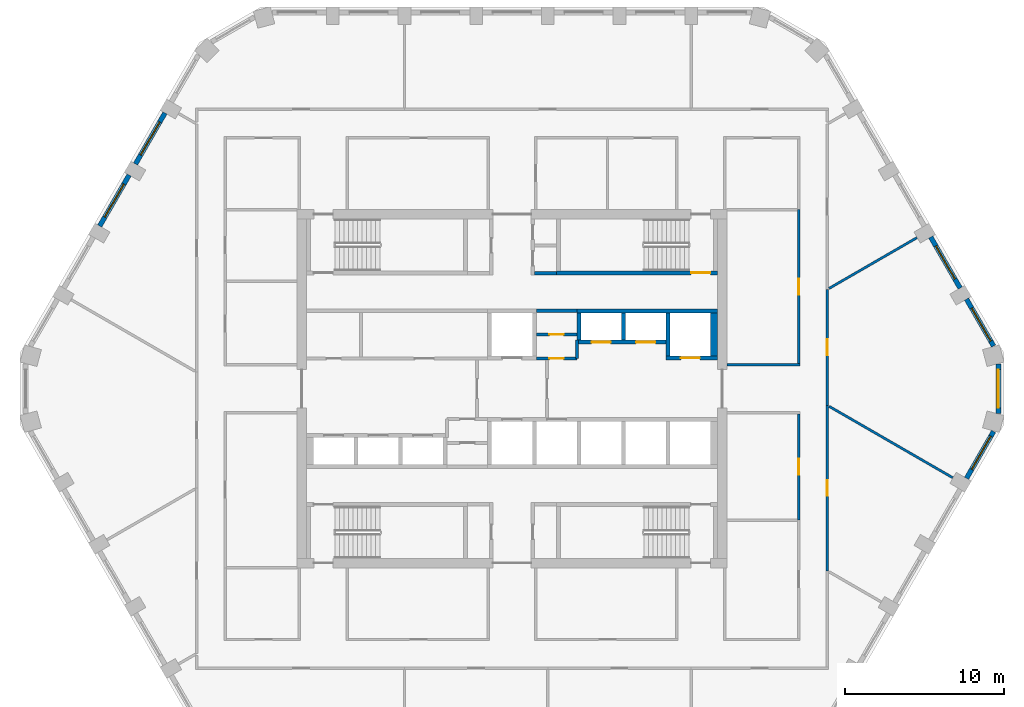
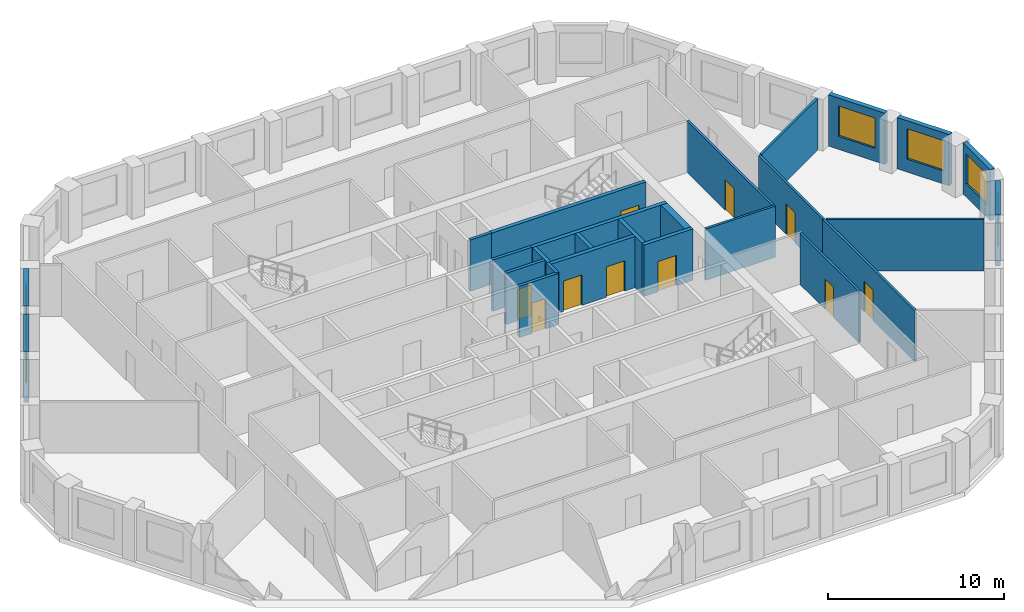
# One storey, part 5 of 9: 26 walls, 10 doors, 6 windows, 16 openings.
"""IFC4 building model written with IfcOpenShell, lengths in metres."""

from ifc_helpers import new_model, si_unit, direction, frame, frame_2d, origin, place, context, subcontext, project, spatial, polyline, rectangle, outline, extrude, material, layer, layer_set, type_object, element, fill, save


model = new_model("IFC4")

# Units and contexts
model_context = context("Model", 3, precision=1e-05, world=origin(), true_north=direction((0.0, 1.0)))
body_context = subcontext(model_context, "Body", "Model", "MODEL_VIEW")
ifc_project = project(units=[si_unit("LENGTHUNIT", "METRE"), si_unit("AREAUNIT", "SQUARE_METRE"), si_unit("VOLUMEUNIT", "CUBIC_METRE"), si_unit("PLANEANGLEUNIT", "RADIAN"), si_unit("MASSUNIT", "GRAM", prefix="KILO")], contexts=[model_context])

# Site, building, storey
site_placement = place(None, origin())
site = spatial("IfcSite", under=ifc_project, at=site_placement, CompositionType="ELEMENT")
building_placement = place(site_placement, origin())
building = spatial("IfcBuilding", under=site, at=building_placement, Name="Dhurran Vertical Campus", CompositionType="ELEMENT")
storey_placement = place(building_placement, frame((0.0, 0.0, 199.5)))
storey = spatial("IfcBuildingStorey", under=building, at=storey_placement, Name="L49", CompositionType="ELEMENT", Elevation=199.5)

# Wall, opening, window
ifc_material_1 = material(Name="Precast concrete C50/60", Category="concrete")
ifc_layer_1 = layer(ifc_material_1, 0.300048828125)
ifc_layer_set_1 = layer_set([ifc_layer_1], Name="Precast concrete C50/60")
wall_type_1 = type_object("IfcWallType", Name="Precast spandrel wall 300", PredefinedType="SOLIDWALL", material=ifc_layer_set_1)
wall_1_placement = place(storey_placement, frame((28.544189453125, -5.625244140625, 0.0), z_axis=(0.0, 0.0, 1.0), x_axis=(0.500012868213, 0.866017974191, 0.0)))
wall_1 = element("IfcWall", 1, at=wall_1_placement, inside=storey, type_object=wall_type_1, Name="EW1 L49.12", PredefinedType="SOLIDWALL", context=body_context, shape_type="SweptSolid", body=[
    extrude(rectangle(XDim=3.39599609375, YDim=0.300048828125, at=frame_2d((1.697998046875, 0.0))), origin(), (0.0, 0.0, 1.0), 3.550048828125),
])
opening_1_placement = place(wall_1_placement, frame((0.6494140625, 0.0, 0.89990234375)))
opening_1 = element("IfcOpeningElement", 2, at=opening_1_placement, cuts=wall_1, Name="Opening WT1", PredefinedType="OPENING", context=body_context, shape_type="SweptSolid", body=[
    extrude(rectangle(XDim=2.39990234375, YDim=2.10009765625, at=frame_2d((1.199951171875, 1.050048828125))), frame((0.0, 0.159912109375, 0.0), z_axis=(0.0, -1.0, 0.0), x_axis=(1.0, 0.0, 0.0)), (0.0, 0.0, 1.0), 0.320068359375),
])
ifc_material_2 = material(Name="Aluminium frame with solar-control glass", Category="aluminium")
window_type = type_object("IfcWindowType", Name="Punched window 2400 x 2100", PartitioningType="SINGLE_PANEL", PredefinedType="WINDOW", material=ifc_material_2)
window_1_placement = place(opening_1_placement, origin())
window_1 = element("IfcWindow", 3, at=window_1_placement, inside=storey, type_object=window_type, Name="WT1 L49.12", OverallHeight=2.10009765625, OverallWidth=2.39990234375, PartitioningType="SINGLE_PANEL", PredefinedType="WINDOW", context=body_context, shape_type="SweptSolid", body=[
    extrude(rectangle(XDim=2.39990234375, YDim=2.10009765625, at=frame_2d((1.199951171875, 1.050048828125))), frame((0.0, 0.030029296875, 0.0), z_axis=(0.0, -1.0, 0.0), x_axis=(1.0, 0.0, 0.0)), (0.0, 0.0, 1.0), 0.06005859375),
])
fill(opening_1, window_1)

wall_2_placement = place(storey_placement, frame((30.547119140625, -1.54638671875, 0.0), z_axis=(0.0, 0.0, 1.0), x_axis=(0.0, 1.0, 0.0)))
wall_2 = element("IfcWall", 4, at=wall_2_placement, inside=storey, type_object=wall_type_1, Name="EW1 L49.13", PredefinedType="SOLIDWALL", context=body_context, shape_type="SweptSolid", body=[
    extrude(rectangle(XDim=3.0927734375, YDim=0.300048828125, at=frame_2d((1.54638671875, 0.0))), origin(), (0.0, 0.0, 1.0), 3.550048828125),
])
opening_2_placement = place(wall_2_placement, frame((0.34619140625, 0.0, 0.89990234375)))
opening_2 = element("IfcOpeningElement", 5, at=opening_2_placement, cuts=wall_2, Name="Opening WT1", PredefinedType="OPENING", context=body_context, shape_type="SweptSolid", body=[
    extrude(rectangle(XDim=2.39990234375, YDim=2.10009765625, at=frame_2d((1.199951171875, 1.050048828125))), frame((0.0, 0.159912109375, 0.0), z_axis=(0.0, -1.0, 0.0), x_axis=(1.0, 0.0, 0.0)), (0.0, 0.0, 1.0), 0.320068359375),
])
window_2_placement = place(opening_2_placement, origin())
window_2 = element("IfcWindow", 6, at=window_2_placement, inside=storey, type_object=window_type, Name="WT1 L49.13", OverallHeight=2.10009765625, OverallWidth=2.39990234375, PartitioningType="SINGLE_PANEL", PredefinedType="WINDOW", context=body_context, shape_type="SweptSolid", body=[
    extrude(rectangle(XDim=2.39990234375, YDim=2.10009765625, at=frame_2d((1.199951171875, 1.050048828125))), frame((0.0, 0.030029296875, 0.0), z_axis=(0.0, -1.0, 0.0), x_axis=(1.0, 0.0, 0.0)), (0.0, 0.0, 1.0), 0.06005859375),
])
fill(opening_2, window_2)

wall_3_placement = place(storey_placement, frame((30.2421875, 2.684326171875, 0.0), z_axis=(0.0, 0.0, 1.0), x_axis=(-0.500012868213, 0.866017974191, 0.0)))
wall_3 = element("IfcWall", 7, at=wall_3_placement, inside=storey, type_object=wall_type_1, Name="EW1 L49.14", PredefinedType="SOLIDWALL", context=body_context, shape_type="SweptSolid", body=[
    extrude(rectangle(XDim=3.39599609375, YDim=0.300048828125, at=frame_2d((1.697998046875, 0.0))), origin(), (0.0, 0.0, 1.0), 3.550048828125),
])
opening_3_placement = place(wall_3_placement, frame((0.346435546875, 0.0, 0.89990234375)))
opening_3 = element("IfcOpeningElement", 8, at=opening_3_placement, cuts=wall_3, Name="Opening WT1", PredefinedType="OPENING", context=body_context, shape_type="SweptSolid", body=[
    extrude(rectangle(XDim=2.39990234375, YDim=2.10009765625, at=frame_2d((1.199951171875, 1.050048828125))), frame((0.0, 0.159912109375, 0.0), z_axis=(0.0, -1.0, 0.0), x_axis=(1.0, 0.0, 0.0)), (0.0, 0.0, 1.0), 0.320068359375),
])
window_3_placement = place(opening_3_placement, origin())
window_3 = element("IfcWindow", 9, at=window_3_placement, inside=storey, type_object=window_type, Name="WT1 L49.14", OverallHeight=2.10009765625, OverallWidth=2.39990234375, PartitioningType="SINGLE_PANEL", PredefinedType="WINDOW", context=body_context, shape_type="SweptSolid", body=[
    extrude(rectangle(XDim=2.39990234375, YDim=2.10009765625, at=frame_2d((1.199951171875, 1.050048828125))), frame((0.0, 0.030029296875, 0.0), z_axis=(0.0, -1.0, 0.0), x_axis=(1.0, 0.0, 0.0)), (0.0, 0.0, 1.0), 0.06005859375),
])
fill(opening_3, window_3)

wall_4_placement = place(storey_placement, frame((28.143798828125, 6.319091796875, 0.0), z_axis=(0.0, 0.0, 1.0), x_axis=(-0.500029062817, 0.866008623709, 0.0)))
wall_4 = element("IfcWall", 10, at=wall_4_placement, inside=storey, type_object=wall_type_1, Name="EW1 L49.15", PredefinedType="SOLIDWALL", context=body_context, shape_type="SweptSolid", body=[
    extrude(rectangle(XDim=3.698974609375, YDim=0.300048828125, at=frame_2d((1.849609375, 0.0))), origin(), (0.0, 0.0, 1.0), 3.550048828125),
])
opening_4_placement = place(wall_4_placement, frame((0.6494140625, 0.0, 0.89990234375)))
opening_4 = element("IfcOpeningElement", 11, at=opening_4_placement, cuts=wall_4, Name="Opening WT1", PredefinedType="OPENING", context=body_context, shape_type="SweptSolid", body=[
    extrude(rectangle(XDim=2.39990234375, YDim=2.10009765625, at=frame_2d((1.199951171875, 1.050048828125))), frame((0.0, 0.159912109375, 0.0), z_axis=(0.0, -1.0, 0.0), x_axis=(1.0, 0.0, 0.0)), (0.0, 0.0, 1.0), 0.320068359375),
])
window_4_placement = place(opening_4_placement, origin())
window_4 = element("IfcWindow", 12, at=window_4_placement, inside=storey, type_object=window_type, Name="WT1 L49.15", OverallHeight=2.10009765625, OverallWidth=2.39990234375, PartitioningType="SINGLE_PANEL", PredefinedType="WINDOW", context=body_context, shape_type="SweptSolid", body=[
    extrude(rectangle(XDim=2.39990234375, YDim=2.10009765625, at=frame_2d((1.199951171875, 1.050048828125))), frame((0.0, 0.030029296875, 0.0), z_axis=(0.0, -1.0, 0.0), x_axis=(1.0, 0.0, 0.0)), (0.0, 0.0, 1.0), 0.06005859375),
])
fill(opening_4, window_4)

wall_5_placement = place(storey_placement, frame((-21.794189453125, 17.316650390625, 0.0), z_axis=(0.0, 0.0, 1.0), x_axis=(-0.500029062817, -0.866008623709, 0.0)))
wall_5 = element("IfcWall", 13, at=wall_5_placement, inside=storey, type_object=wall_type_1, Name="EW1 L49.29", PredefinedType="SOLIDWALL", context=body_context, shape_type="SweptSolid", body=[
    extrude(rectangle(XDim=3.698974609375, YDim=0.300048828125, at=frame_2d((1.849609375, 0.0))), origin(), (0.0, 0.0, 1.0), 3.550048828125),
])
opening_5_placement = place(wall_5_placement, frame((0.6494140625, 0.0, 0.89990234375)))
opening_5 = element("IfcOpeningElement", 14, at=opening_5_placement, cuts=wall_5, Name="Opening WT1", PredefinedType="OPENING", context=body_context, shape_type="SweptSolid", body=[
    extrude(rectangle(XDim=2.39990234375, YDim=2.10009765625, at=frame_2d((1.199951171875, 1.050048828125))), frame((0.0, 0.159912109375, 0.0), z_axis=(0.0, -1.0, 0.0), x_axis=(1.0, 0.0, 0.0)), (0.0, 0.0, 1.0), 0.320068359375),
])
window_5_placement = place(opening_5_placement, origin())
window_5 = element("IfcWindow", 15, at=window_5_placement, inside=storey, type_object=window_type, Name="WT1 L49.29", OverallHeight=2.10009765625, OverallWidth=2.39990234375, PartitioningType="SINGLE_PANEL", PredefinedType="WINDOW", context=body_context, shape_type="SweptSolid", body=[
    extrude(rectangle(XDim=2.39990234375, YDim=2.10009765625, at=frame_2d((1.199951171875, 1.050048828125))), frame((0.0, 0.030029296875, 0.0), z_axis=(0.0, -1.0, 0.0), x_axis=(1.0, 0.0, 0.0)), (0.0, 0.0, 1.0), 0.06005859375),
])
fill(opening_5, window_5)

wall_6_placement = place(storey_placement, frame((-24.044189453125, 13.41943359375, 0.0), z_axis=(0.0, 0.0, 1.0), x_axis=(-0.500029062817, -0.866008623709, 0.0)))
wall_6 = element("IfcWall", 16, at=wall_6_placement, inside=storey, type_object=wall_type_1, Name="EW1 L49.30", PredefinedType="SOLIDWALL", context=body_context, shape_type="SweptSolid", body=[
    extrude(rectangle(XDim=3.698974609375, YDim=0.300048828125, at=frame_2d((1.849609375, 0.0))), origin(), (0.0, 0.0, 1.0), 3.550048828125),
])
opening_6_placement = place(wall_6_placement, frame((0.6494140625, 0.0, 0.89990234375)))
opening_6 = element("IfcOpeningElement", 17, at=opening_6_placement, cuts=wall_6, Name="Opening WT1", PredefinedType="OPENING", context=body_context, shape_type="SweptSolid", body=[
    extrude(rectangle(XDim=2.39990234375, YDim=2.10009765625, at=frame_2d((1.199951171875, 1.050048828125))), frame((0.0, 0.159912109375, 0.0), z_axis=(0.0, -1.0, 0.0), x_axis=(1.0, 0.0, 0.0)), (0.0, 0.0, 1.0), 0.320068359375),
])
window_6_placement = place(opening_6_placement, origin())
window_6 = element("IfcWindow", 18, at=window_6_placement, inside=storey, type_object=window_type, Name="WT1 L49.30", OverallHeight=2.10009765625, OverallWidth=2.39990234375, PartitioningType="SINGLE_PANEL", PredefinedType="WINDOW", context=body_context, shape_type="SweptSolid", body=[
    extrude(rectangle(XDim=2.39990234375, YDim=2.10009765625, at=frame_2d((1.199951171875, 1.050048828125))), frame((0.0, 0.030029296875, 0.0), z_axis=(0.0, -1.0, 0.0), x_axis=(1.0, 0.0, 0.0)), (0.0, 0.0, 1.0), 0.06005859375),
])
fill(opening_6, window_6)

# Wall
ifc_material_3 = material(Name="Fire-rated masonry blockwork", Category="masonry")
ifc_layer_2 = layer(ifc_material_3, 0.199951171875)
ifc_layer_set_2 = layer_set([ifc_layer_2], Name="Fire-rated masonry blockwork")
wall_type_2 = type_object("IfcWallType", Name="co-FIRE-PARTITION-200", PredefinedType="PARTITIONING", material=ifc_layer_set_2)
wall_7_placement = place(storey_placement, frame((1.39990234375, 7.25, 0.0), z_axis=(0.0, 0.0, 1.0), x_axis=(1.0, 0.0, 0.0)))
element("IfcWall", 19, at=wall_7_placement, inside=storey, type_object=wall_type_2, Name="Core partition sl-NE-S L49", PredefinedType="PARTITIONING", context=body_context, shape_type="SweptSolid", body=[
    extrude(rectangle(XDim=1.400146484375, YDim=0.199951171875, at=frame_2d((0.7001953125, 0.0))), origin(), (0.0, 0.0, 1.0), 3.550048828125),
])

# Wall, opening, door
wall_8_placement = place(storey_placement, frame((1.52490234375, 3.39990234375, 0.0), z_axis=(0.0, 0.0, 1.0), x_axis=(1.0, 0.0, 0.0)))
wall_8 = element("IfcWall", 20, at=wall_8_placement, inside=storey, type_object=wall_type_2, Name="Core partition fr-N1-c L49", PredefinedType="PARTITIONING", context=body_context, shape_type="SweptSolid", body=[
    extrude(rectangle(XDim=2.550048828125, YDim=0.199951171875, at=frame_2d((1.27490234375, 0.0))), origin(), (0.0, 0.0, 1.0), 3.550048828125),
])
opening_7_placement = place(wall_8_placement, frame((0.824951171875, 0.0, 0.0)))
opening_7 = element("IfcOpeningElement", 21, at=opening_7_placement, cuts=wall_8, Name="Opening T14-C8", PredefinedType="OPENING", context=body_context, shape_type="SweptSolid", body=[
    extrude(rectangle(XDim=0.89990234375, YDim=2.10009765625, at=frame_2d((0.449951171875, 1.050048828125))), frame((0.0, 0.10986328125, 0.0), z_axis=(0.0, -1.0, 0.0), x_axis=(1.0, 0.0, 0.0)), (0.0, 0.0, 1.0), 0.219970703125),
])
ifc_material_4 = material(Name="Fire-rated timber door set", Category="wood")
door_type_1 = type_object("IfcDoorType", Name="co-D-ROOM 900x2100", OperationType="SINGLE_SWING_LEFT", PredefinedType="DOOR", material=ifc_material_4)
door_1_placement = place(opening_7_placement, origin())
door_1 = element("IfcDoor", 22, at=door_1_placement, inside=storey, type_object=door_type_1, Name="Communications room door L49", OperationType="SINGLE_SWING_LEFT", OverallHeight=2.10009765625, OverallWidth=0.89990234375, PredefinedType="DOOR", context=body_context, shape_type="SweptSolid", body=[
    extrude(rectangle(XDim=0.89990234375, YDim=2.10009765625, at=frame_2d((0.449951171875, 1.050048828125))), frame((0.0, 0.02490234375, 0.0), z_axis=(0.0, -1.0, 0.0), x_axis=(1.0, 0.0, 0.0)), (0.0, 0.0, 1.0), 0.050048828125),
])
fill(opening_7, door_1)

wall_9_placement = place(storey_placement, frame((1.52490234375, 1.89990234375, 0.0), z_axis=(0.0, 0.0, 1.0), x_axis=(1.0, 0.0, 0.0)))
wall_9 = element("IfcWall", 23, at=wall_9_placement, inside=storey, type_object=wall_type_2, Name="Core partition fr-N1-f L49", PredefinedType="PARTITIONING", context=body_context, shape_type="SweptSolid", body=[
    extrude(rectangle(XDim=2.550048828125, YDim=0.199951171875, at=frame_2d((1.27490234375, 0.0))), origin(), (0.0, 0.0, 1.0), 3.550048828125),
])
opening_8_placement = place(wall_9_placement, frame((0.824951171875, 0.0, 0.0)))
opening_8 = element("IfcOpeningElement", 24, at=opening_8_placement, cuts=wall_9, Name="Opening T14-C9", PredefinedType="OPENING", context=body_context, shape_type="SweptSolid", body=[
    extrude(rectangle(XDim=0.89990234375, YDim=2.10009765625, at=frame_2d((0.449951171875, 1.050048828125))), frame((0.0, 0.10986328125, 0.0), z_axis=(0.0, -1.0, 0.0), x_axis=(1.0, 0.0, 0.0)), (0.0, 0.0, 1.0), 0.219970703125),
])
door_2_placement = place(opening_8_placement, origin())
door_2 = element("IfcDoor", 25, at=door_2_placement, inside=storey, type_object=door_type_1, Name="Server room door L49", OperationType="SINGLE_SWING_LEFT", OverallHeight=2.10009765625, OverallWidth=0.89990234375, PredefinedType="DOOR", context=body_context, shape_type="SweptSolid", body=[
    extrude(rectangle(XDim=0.89990234375, YDim=2.10009765625, at=frame_2d((0.449951171875, 1.050048828125))), frame((0.0, 0.02490234375, 0.0), z_axis=(0.0, -1.0, 0.0), x_axis=(1.0, 0.0, 0.0)), (0.0, 0.0, 1.0), 0.050048828125),
])
fill(opening_8, door_2)

# Walls
wall_10_placement = place(storey_placement, frame((1.52490234375, 4.89990234375, 0.0), z_axis=(0.0, 0.0, 1.0), x_axis=(1.0, 0.0, 0.0)))
element("IfcWall", 26, at=wall_10_placement, inside=storey, type_object=wall_type_2, Name="Core partition fr-N1-b L49", PredefinedType="PARTITIONING", context=body_context, shape_type="SweptSolid", body=[
    extrude(rectangle(XDim=2.550048828125, YDim=0.199951171875, at=frame_2d((1.27490234375, 0.0))), origin(), (0.0, 0.0, 1.0), 3.550048828125),
])
wall_11_placement = place(storey_placement, frame((4.074951171875, 1.89990234375, 0.0), z_axis=(0.0, 0.0, 1.0), x_axis=(0.0, 1.0, 0.0)))
element("IfcWall", 27, at=wall_11_placement, inside=storey, type_object=wall_type_2, Name="Core partition fr-N1-n1 L49", PredefinedType="PARTITIONING", context=body_context, shape_type="SweptSolid", body=[
    extrude(rectangle(XDim=1.150146484375, YDim=0.199951171875, at=frame_2d((0.5751953125, 0.0))), origin(), (0.0, 0.0, 1.0), 3.550048828125),
])

# Wall, openings, doors
ifc_material_5 = material(Name="Concrete C50/60", Category="concrete")
ifc_layer_3 = layer(ifc_material_5, 0.25)
ifc_layer_set_3 = layer_set([ifc_layer_3], Name="Concrete C50/60")
wall_type_3 = type_object("IfcWallType", Name="co-SHAFT-FRONT-250", PredefinedType="SHEAR", material=ifc_layer_set_3)
wall_12_placement = place(storey_placement, frame((4.074951171875, 2.925048828125, 0.0), z_axis=(0.0, 0.0, 1.0), x_axis=(1.0, 0.0, 0.0)))
wall_12 = element("IfcWall", 28, at=wall_12_placement, inside=storey, type_object=wall_type_3, Name="Lift landing wall N L49", PredefinedType="SHEAR", context=body_context, shape_type="SweptSolid", body=[
    extrude(rectangle(XDim=5.85009765625, YDim=0.25, at=frame_2d((2.925048828125, 0.0))), origin(), (0.0, 0.0, 1.0), 3.550048828125),
])
opening_9_placement = place(wall_12_placement, frame((0.925048828125, 0.0, 0.0)))
opening_9 = element("IfcOpeningElement", 29, at=opening_9_placement, cuts=wall_12, Name="Opening LD", PredefinedType="OPENING", context=body_context, shape_type="SweptSolid", body=[
    extrude(rectangle(XDim=1.199951171875, YDim=2.10009765625, at=frame_2d((0.60009765625, 1.050048828125))), frame((0.0, 0.135009765625, 0.0), z_axis=(0.0, -1.0, 0.0), x_axis=(1.0, 0.0, 0.0)), (0.0, 0.0, 1.0), 0.27001953125),
])
opening_10_placement = place(wall_12_placement, frame((3.72509765625, 0.0, 0.0)))
opening_10 = element("IfcOpeningElement", 30, at=opening_10_placement, cuts=wall_12, Name="Opening LD", PredefinedType="OPENING", context=body_context, shape_type="SweptSolid", body=[
    extrude(rectangle(XDim=1.199951171875, YDim=2.10009765625, at=frame_2d((0.60009765625, 1.050048828125))), frame((0.0, 0.135009765625, 0.0), z_axis=(0.0, -1.0, 0.0), x_axis=(1.0, 0.0, 0.0)), (0.0, 0.0, 1.0), 0.27001953125),
])
ifc_material_6 = material(Name="Stainless steel landing door", Category="steel")
door_type_2 = type_object("IfcDoorType", Name="co-D-LANDING 1200x2100", OperationType="DOUBLE_DOOR_SLIDING", PredefinedType="DOOR", material=ifc_material_6)
door_3_placement = place(opening_9_placement, origin())
door_3 = element("IfcDoor", 31, at=door_3_placement, inside=storey, type_object=door_type_2, Name="Landing door MR1 L49", OperationType="DOUBLE_DOOR_SLIDING", OverallHeight=2.10009765625, OverallWidth=1.199951171875, PredefinedType="DOOR", context=body_context, shape_type="SweptSolid", body=[
    extrude(rectangle(XDim=1.199951171875, YDim=2.10009765625, at=frame_2d((0.60009765625, 1.050048828125))), frame((0.0, 0.02490234375, 0.0), z_axis=(0.0, -1.0, 0.0), x_axis=(1.0, 0.0, 0.0)), (0.0, 0.0, 1.0), 0.050048828125),
])
fill(opening_9, door_3)
door_4_placement = place(opening_10_placement, origin())
door_4 = element("IfcDoor", 32, at=door_4_placement, inside=storey, type_object=door_type_2, Name="Landing door MR2 L49", OperationType="DOUBLE_DOOR_SLIDING", OverallHeight=2.10009765625, OverallWidth=1.199951171875, PredefinedType="DOOR", context=body_context, shape_type="SweptSolid", body=[
    extrude(rectangle(XDim=1.199951171875, YDim=2.10009765625, at=frame_2d((0.60009765625, 1.050048828125))), frame((0.0, 0.02490234375, 0.0), z_axis=(0.0, -1.0, 0.0), x_axis=(1.0, 0.0, 0.0)), (0.0, 0.0, 1.0), 0.050048828125),
])
fill(opening_10, door_4)

# Wall, opening, door
wall_13_placement = place(storey_placement, frame((9.675048828125, 1.925048828125, 0.0), z_axis=(0.0, 0.0, 1.0), x_axis=(1.0, 0.0, 0.0)))
wall_13 = element("IfcWall", 33, at=wall_13_placement, inside=storey, type_object=wall_type_3, Name="Lift landing wall N L49", PredefinedType="SHEAR", context=body_context, shape_type="SweptSolid", body=[
    extrude(rectangle(XDim=3.224853515625, YDim=0.25, at=frame_2d((1.6123046875, 0.0))), origin(), (0.0, 0.0, 1.0), 3.550048828125),
])
opening_11_placement = place(wall_13_placement, frame((0.925048828125, 0.0, 0.0)))
opening_11 = element("IfcOpeningElement", 34, at=opening_11_placement, cuts=wall_13, Name="Opening LD", PredefinedType="OPENING", context=body_context, shape_type="SweptSolid", body=[
    extrude(rectangle(XDim=1.199951171875, YDim=2.10009765625, at=frame_2d((0.60009765625, 1.050048828125))), frame((0.0, 0.135009765625, 0.0), z_axis=(0.0, -1.0, 0.0), x_axis=(1.0, 0.0, 0.0)), (0.0, 0.0, 1.0), 0.27001953125),
])
door_5_placement = place(opening_11_placement, origin())
door_5 = element("IfcDoor", 35, at=door_5_placement, inside=storey, type_object=door_type_2, Name="Landing door SV2 L49", OperationType="DOUBLE_DOOR_SLIDING", OverallHeight=2.10009765625, OverallWidth=1.199951171875, PredefinedType="DOOR", context=body_context, shape_type="SweptSolid", body=[
    extrude(rectangle(XDim=1.199951171875, YDim=2.10009765625, at=frame_2d((0.60009765625, 1.050048828125))), frame((0.0, 0.02490234375, 0.0), z_axis=(0.0, -1.0, 0.0), x_axis=(1.0, 0.0, 0.0)), (0.0, 0.0, 1.0), 0.050048828125),
])
fill(opening_11, door_5)

# Walls
ifc_material_7 = material(Name="Concrete C50/60", Category="concrete")
ifc_layer_4 = layer(ifc_material_7, 0.25)
ifc_layer_set_4 = layer_set([ifc_layer_4], Name="Concrete C50/60")
wall_type_4 = type_object("IfcWallType", Name="co-SHAFT-MASS-250", PredefinedType="SHEAR", material=ifc_layer_set_4)
wall_14_placement = place(storey_placement, origin())
element("IfcWall", 36, at=wall_14_placement, inside=storey, type_object=wall_type_4, Name="Lift shaft wall N L49 2", PredefinedType="SHEAR", context=body_context, shape_type="SweptSolid", body=[
    extrude(outline(polyline([(4.074951171875, 4.75), (12.89990234375, 4.75), (12.89990234375, 5.0), (4.074951171875, 5.0), (4.074951171875, 4.75)])), origin(), (0.0, 0.0, 1.0), 3.550048828125),
])
wall_15_placement = place(storey_placement, origin())
element("IfcWall", 37, at=wall_15_placement, inside=storey, type_object=wall_type_4, Name="Lift shaft wall N L49 5", PredefinedType="SHEAR", context=body_context, shape_type="SweptSolid", body=[
    extrude(outline(polyline([(9.675048828125, 2.050048828125), (9.925048828125, 2.050048828125), (9.925048828125, 4.75), (9.675048828125, 4.75), (9.675048828125, 2.050048828125)])), origin(), (0.0, 0.0, 1.0), 3.550048828125),
])
wall_16_placement = place(storey_placement, origin())
element("IfcWall", 38, at=wall_16_placement, inside=storey, type_object=wall_type_4, Name="Lift shaft wall N L49 6", PredefinedType="SHEAR", context=body_context, shape_type="SweptSolid", body=[
    extrude(outline(polyline([(12.47509765625, 2.050048828125), (12.89990234375, 2.050048828125), (12.89990234375, 4.75), (12.47509765625, 4.75), (12.47509765625, 2.050048828125)])), origin(), (0.0, 0.0, 1.0), 3.550048828125),
])
wall_17_placement = place(storey_placement, origin())
element("IfcWall", 39, at=wall_17_placement, inside=storey, type_object=wall_type_4, Name="Lift shaft wall N L49 7", PredefinedType="SHEAR", context=body_context, shape_type="SweptSolid", body=[
    extrude(outline(polyline([(4.074951171875, 3.050048828125), (4.324951171875, 3.050048828125), (4.324951171875, 4.75), (4.074951171875, 4.75), (4.074951171875, 3.050048828125)])), origin(), (0.0, 0.0, 1.0), 3.550048828125),
])
wall_18_placement = place(storey_placement, origin())
element("IfcWall", 40, at=wall_18_placement, inside=storey, type_object=wall_type_4, Name="Lift shaft wall N L49 8", PredefinedType="SHEAR", context=body_context, shape_type="SweptSolid", body=[
    extrude(outline(polyline([(6.875, 3.050048828125), (7.125, 3.050048828125), (7.125, 4.75), (6.875, 4.75), (6.875, 3.050048828125)])), origin(), (0.0, 0.0, 1.0), 3.550048828125),
])

# Wall, opening, door
ifc_material_8 = material(Name="Concrete C40/50", Category="concrete")
ifc_layer_5 = layer(ifc_material_8, 0.25)
ifc_layer_set_5 = layer_set([ifc_layer_5], Name="Concrete C40/50")
wall_type_5 = type_object("IfcWallType", Name="co-STAIR-WALL-250", PredefinedType="SHEAR", material=ifc_layer_set_5)
wall_19_placement = place(storey_placement, frame((2.800048828125, 7.27490234375, 0.0), z_axis=(0.0, 0.0, 1.0), x_axis=(1.0, 0.0, 0.0)))
wall_19 = element("IfcWall", 41, at=wall_19_placement, inside=storey, type_object=wall_type_5, Name="Stair ST2 enclosure wall L49", PredefinedType="SHEAR", context=body_context, shape_type="SweptSolid", body=[
    extrude(rectangle(XDim=10.099853515625, YDim=0.25, at=frame_2d((5.0498046875, 0.0))), origin(), (0.0, 0.0, 1.0), 3.550048828125),
])
opening_12_placement = place(wall_19_placement, frame((8.449951171875, 0.0, 0.0)))
opening_12 = element("IfcOpeningElement", 42, at=opening_12_placement, cuts=wall_19, Name="Opening SD2", PredefinedType="OPENING", context=body_context, shape_type="SweptSolid", body=[
    extrude(rectangle(XDim=1.199951171875, YDim=2.10009765625, at=frame_2d((0.60009765625, 1.050048828125))), frame((0.0, 0.135009765625, 0.0), z_axis=(0.0, -1.0, 0.0), x_axis=(1.0, 0.0, 0.0)), (0.0, 0.0, 1.0), 0.27001953125),
])
ifc_material_9 = material(Name="Fire-rated steel door set", Category="steel")
door_type_3 = type_object("IfcDoorType", Name="co-D-STAIR 1200x2100", OperationType="SINGLE_SWING_LEFT", PredefinedType="DOOR", material=ifc_material_9)
door_6_placement = place(opening_12_placement, origin())
door_6 = element("IfcDoor", 43, at=door_6_placement, inside=storey, type_object=door_type_3, Name="Stair ST2 door L49", OperationType="SINGLE_SWING_LEFT", OverallHeight=2.10009765625, OverallWidth=1.199951171875, PredefinedType="DOOR", context=body_context, shape_type="SweptSolid", body=[
    extrude(rectangle(XDim=1.199951171875, YDim=2.10009765625, at=frame_2d((0.60009765625, 1.050048828125))), frame((0.0, 0.02490234375, 0.0), z_axis=(0.0, -1.0, 0.0), x_axis=(1.0, 0.0, 0.0)), (0.0, 0.0, 1.0), 0.050048828125),
])
fill(opening_12, door_6)

# Wall
ifc_material_10 = material(Name="Gypsum board corridor wall on steel studs", Category="steel")
ifc_layer_6 = layer(ifc_material_10, 0.14990234375)
ifc_layer_set_6 = layer_set([ifc_layer_6], Name="Gypsum board corridor wall on steel studs")
wall_type_6 = type_object("IfcWallType", Name="fl-CW-150 corridor wall", PredefinedType="PARTITIONING", material=ifc_layer_set_6)
wall_20_placement = place(storey_placement, frame((18.074951171875, 1.5, 0.0), z_axis=(0.0, 0.0, 1.0), x_axis=(-1.0, 0.0, 0.0)))
element("IfcWall", 44, at=wall_20_placement, inside=storey, type_object=wall_type_6, Name="Partition 49-56", PredefinedType="PARTITIONING", context=body_context, shape_type="SweptSolid", body=[
    extrude(rectangle(XDim=4.574951171875, YDim=0.14990234375, at=frame_2d((2.28759765625, 0.0))), origin(), (0.0, 0.0, 1.0), 3.550048828125),
])

# Wall, opening, door
wall_21_placement = place(storey_placement, frame((18.0, -1.574951171875, 0.0), z_axis=(0.0, 0.0, 1.0), x_axis=(0.0, -1.0, 0.0)))
wall_21 = element("IfcWall", 45, at=wall_21_placement, inside=storey, type_object=wall_type_6, Name="Partition 49-59", PredefinedType="PARTITIONING", context=body_context, shape_type="SweptSolid", body=[
    extrude(rectangle(XDim=6.675048828125, YDim=0.14990234375, at=frame_2d((3.33740234375, 0.0))), origin(), (0.0, 0.0, 1.0), 3.550048828125),
])
opening_13_placement = place(wall_21_placement, frame((2.83740234375, 0.0, 0.0)))
opening_13 = element("IfcOpeningElement", 46, at=opening_13_placement, cuts=wall_21, Name="Opening T14.22", PredefinedType="OPENING", context=body_context, shape_type="SweptSolid", body=[
    extrude(rectangle(XDim=1.0, YDim=2.10009765625, at=frame_2d((0.5, 1.050048828125))), frame((0.0, 0.0849609375, 0.0), z_axis=(0.0, -1.0, 0.0), x_axis=(1.0, 0.0, 0.0)), (0.0, 0.0, 1.0), 0.169921875),
])
ifc_material_11 = material(Name="Solid-core timber door set, fire-rated", Category="wood")
door_type_4 = type_object("IfcDoorType", Name="fl-D-1000x2100", OperationType="SINGLE_SWING_LEFT", PredefinedType="DOOR", material=ifc_material_11)
door_7_placement = place(opening_13_placement, origin())
door_7 = element("IfcDoor", 47, at=door_7_placement, inside=storey, type_object=door_type_4, Name="Door 49.22", OperationType="SINGLE_SWING_RIGHT", OverallHeight=2.10009765625, OverallWidth=1.0, PredefinedType="DOOR", context=body_context, shape_type="SweptSolid", body=[
    extrude(rectangle(XDim=1.0, YDim=2.10009765625, at=frame_2d((0.5, 1.050048828125))), frame((0.0, 0.02490234375, 0.0), z_axis=(0.0, -1.0, 0.0), x_axis=(1.0, 0.0, 0.0)), (0.0, 0.0, 1.0), 0.050048828125),
])
fill(opening_13, door_7)

wall_22_placement = place(storey_placement, frame((18.0, 11.25, 0.0), z_axis=(0.0, 0.0, 1.0), x_axis=(0.0, -1.0, 0.0)))
wall_22 = element("IfcWall", 48, at=wall_22_placement, inside=storey, type_object=wall_type_6, Name="Partition 49-60", PredefinedType="PARTITIONING", context=body_context, shape_type="SweptSolid", body=[
    extrude(rectangle(XDim=9.675048828125, YDim=0.14990234375, at=frame_2d((4.83740234375, 0.0))), origin(), (0.0, 0.0, 1.0), 3.550048828125),
])
opening_14_placement = place(wall_22_placement, frame((4.33740234375, 0.0, 0.0)))
opening_14 = element("IfcOpeningElement", 49, at=opening_14_placement, cuts=wall_22, Name="Opening T14.23", PredefinedType="OPENING", context=body_context, shape_type="SweptSolid", body=[
    extrude(rectangle(XDim=1.0, YDim=2.10009765625, at=frame_2d((0.5, 1.050048828125))), frame((0.0, 0.0849609375, 0.0), z_axis=(0.0, -1.0, 0.0), x_axis=(1.0, 0.0, 0.0)), (0.0, 0.0, 1.0), 0.169921875),
])
door_8_placement = place(opening_14_placement, origin())
door_8 = element("IfcDoor", 50, at=door_8_placement, inside=storey, type_object=door_type_4, Name="Door 49.23", OperationType="SINGLE_SWING_LEFT", OverallHeight=2.10009765625, OverallWidth=1.0, PredefinedType="DOOR", context=body_context, shape_type="SweptSolid", body=[
    extrude(rectangle(XDim=1.0, YDim=2.10009765625, at=frame_2d((0.5, 1.050048828125))), frame((0.0, 0.02490234375, 0.0), z_axis=(0.0, -1.0, 0.0), x_axis=(1.0, 0.0, 0.0)), (0.0, 0.0, 1.0), 0.050048828125),
])
fill(opening_14, door_8)

wall_23_placement = place(storey_placement, frame((19.800048828125, -11.431884765625, 0.0), z_axis=(0.0, 0.0, 1.0), x_axis=(0.0, 1.0, 0.0)))
wall_23 = element("IfcWall", 51, at=wall_23_placement, inside=storey, type_object=wall_type_6, Name="Partition 49-63", PredefinedType="PARTITIONING", context=body_context, shape_type="SweptSolid", body=[
    extrude(rectangle(XDim=10.392822265625, YDim=0.14990234375, at=frame_2d((5.1962890625, 0.0))), origin(), (0.0, 0.0, 1.0), 3.550048828125),
])
opening_15_placement = place(wall_23_placement, frame((4.696533203125, 0.0, 0.0)))
opening_15 = element("IfcOpeningElement", 52, at=opening_15_placement, cuts=wall_23, Name="Opening T14.26", PredefinedType="OPENING", context=body_context, shape_type="SweptSolid", body=[
    extrude(rectangle(XDim=1.0, YDim=2.10009765625, at=frame_2d((0.5, 1.050048828125))), frame((0.0, 0.0849609375, 0.0), z_axis=(0.0, -1.0, 0.0), x_axis=(1.0, 0.0, 0.0)), (0.0, 0.0, 1.0), 0.169921875),
])
door_9_placement = place(opening_15_placement, origin())
door_9 = element("IfcDoor", 53, at=door_9_placement, inside=storey, type_object=door_type_4, Name="Door 49.26", OperationType="SINGLE_SWING_RIGHT", OverallHeight=2.10009765625, OverallWidth=1.0, PredefinedType="DOOR", context=body_context, shape_type="SweptSolid", body=[
    extrude(rectangle(XDim=1.0, YDim=2.10009765625, at=frame_2d((0.5, 1.050048828125))), frame((0.0, 0.02490234375, 0.0), z_axis=(0.0, -1.0, 0.0), x_axis=(1.0, 0.0, 0.0)), (0.0, 0.0, 1.0), 0.050048828125),
])
fill(opening_15, door_9)

wall_24_placement = place(storey_placement, frame((19.800048828125, -1.0390625, 0.0), z_axis=(0.0, 0.0, 1.0), x_axis=(0.0, 1.0, 0.0)))
wall_24 = element("IfcWall", 54, at=wall_24_placement, inside=storey, type_object=wall_type_6, Name="Partition 49-65", PredefinedType="PARTITIONING", context=body_context, shape_type="SweptSolid", body=[
    extrude(rectangle(XDim=7.274169921875, YDim=0.14990234375, at=frame_2d((3.63720703125, 0.0))), origin(), (0.0, 0.0, 1.0), 3.550048828125),
])
opening_16_placement = place(wall_24_placement, frame((3.136962890625, 0.0, 0.0)))
opening_16 = element("IfcOpeningElement", 55, at=opening_16_placement, cuts=wall_24, Name="Opening T14.27", PredefinedType="OPENING", context=body_context, shape_type="SweptSolid", body=[
    extrude(rectangle(XDim=1.0, YDim=2.10009765625, at=frame_2d((0.5, 1.050048828125))), frame((0.0, 0.0849609375, 0.0), z_axis=(0.0, -1.0, 0.0), x_axis=(1.0, 0.0, 0.0)), (0.0, 0.0, 1.0), 0.169921875),
])
door_10_placement = place(opening_16_placement, origin())
door_10 = element("IfcDoor", 56, at=door_10_placement, inside=storey, type_object=door_type_4, Name="Door 49.27", OperationType="SINGLE_SWING_RIGHT", OverallHeight=2.10009765625, OverallWidth=1.0, PredefinedType="DOOR", context=body_context, shape_type="SweptSolid", body=[
    extrude(rectangle(XDim=1.0, YDim=2.10009765625, at=frame_2d((0.5, 1.050048828125))), frame((0.0, 0.02490234375, 0.0), z_axis=(0.0, -1.0, 0.0), x_axis=(1.0, 0.0, 0.0)), (0.0, 0.0, 1.0), 0.050048828125),
])
fill(opening_16, door_10)

# Walls
ifc_material_12 = material(Name="Gypsum board partition on steel studs", Category="steel")
ifc_layer_7 = layer(ifc_material_12, 0.14990234375)
ifc_layer_set_7 = layer_set([ifc_layer_7], Name="Gypsum board partition on steel studs")
wall_type_7 = type_object("IfcWallType", Name="fl-PW-150 fixed partition", PredefinedType="PARTITIONING", material=ifc_layer_set_7)
wall_25_placement = place(storey_placement, frame((19.91259765625, -1.10400390625, 0.0), z_axis=(0.0, 0.0, 1.0), x_axis=(0.866007370051, -0.500031234042, 0.0)))
element("IfcWall", 57, at=wall_25_placement, inside=storey, type_object=wall_type_7, Name="Partition 49-66", PredefinedType="PARTITIONING", context=body_context, shape_type="SweptSolid", body=[
    extrude(rectangle(XDim=8.9658203125, YDim=0.14990234375, at=frame_2d((4.48291015625, 0.0))), origin(), (0.0, 0.0, 1.0), 3.550048828125),
])
wall_26_placement = place(storey_placement, frame((25.42724609375, 9.484130859375, 0.0), z_axis=(0.0, 0.0, 1.0), x_axis=(-0.866011921086, -0.500023351992, 0.0)))
element("IfcWall", 58, at=wall_26_placement, inside=storey, type_object=wall_type_7, Name="Partition 49-68", PredefinedType="PARTITIONING", context=body_context, shape_type="SweptSolid", body=[
    extrude(rectangle(XDim=6.367919921875, YDim=0.14990234375, at=frame_2d((3.18408203125, 0.0))), origin(), (0.0, 0.0, 1.0), 3.550048828125),
])

save(model, "model.ifc")
